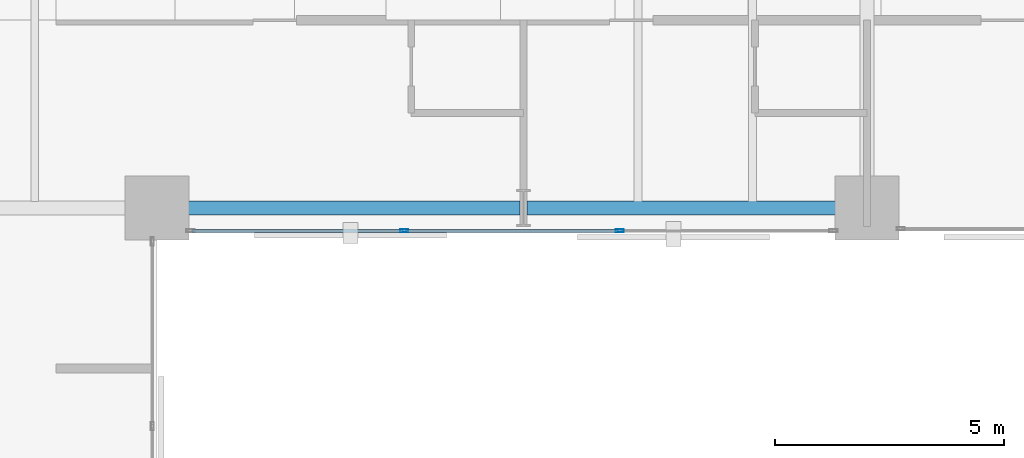
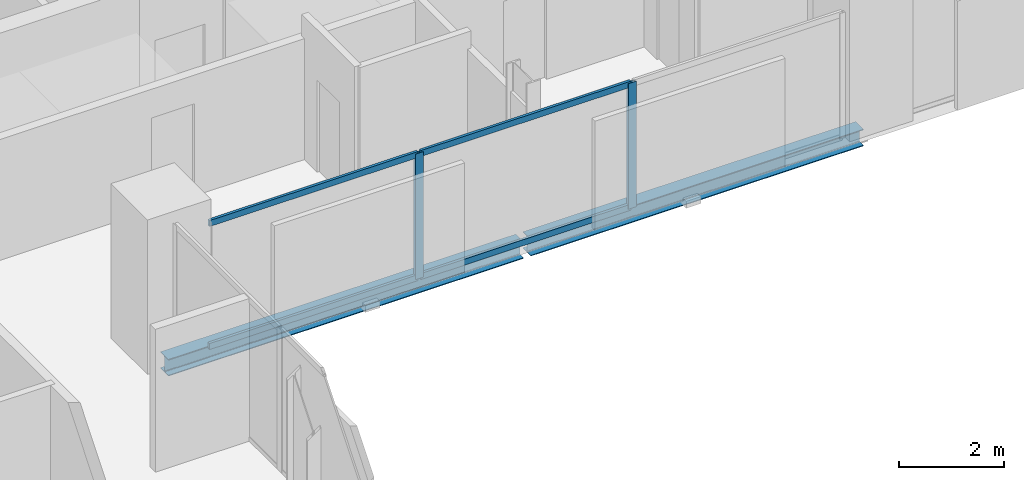
# One storey, part 14 of 33: 6 members, 2 beams, 1 element without a shape of its own.
"""IFC4 building model written with IfcOpenShell, lengths in metres."""

import ifcopenshell
import ifcopenshell.guid

model = None  # the IFC model being written
_history = None  # IfcOwnerHistory: only IFC2X3 demands one
_inside = {}  # id of a spatial element -> (the spatial element, [elements in it])
_under = {}  # id of a project, library or spatial element -> (it, [spatial elements below it])
_declared = {}  # id of a project -> (the project, [libraries it declares])
_typed = {}  # id of a type object -> (the type object, [elements of that type])
_made_of = {}  # id of a material, layer set ... -> (it, [elements and type objects made of it])


def new_model(schema):
    """Start an empty IFC model of exactly this schema.

    Asked for "IFC4X3", IfcOpenShell would pick the latest addendum, in which some entities
    have other attributes; the version numbers below select the first issue.
    IFC2X3 requires an IfcOwnerHistory on every rooted entity: one is made here for all.
    """
    global model, _history
    if schema == "IFC4X3":
        model = ifcopenshell.file(schema_version=(4, 3, 0, 0))
    else:
        model = ifcopenshell.file(schema=schema)
    _inside.clear()
    _under.clear()
    _declared.clear()
    _typed.clear()
    _made_of.clear()
    _history = None
    if model.schema == "IFC2X3":
        org = make("IfcOrganization", Name="unknown")
        user = make(
            "IfcPersonAndOrganization",
            ThePerson=make("IfcPerson", FamilyName="unknown"),
            TheOrganization=org,
        )
        app = make(
            "IfcApplication",
            ApplicationDeveloper=org,
            Version="unknown",
            ApplicationFullName="unknown",
            ApplicationIdentifier="unknown",
        )
        _history = make(
            "IfcOwnerHistory",
            OwningUser=user,
            OwningApplication=app,
            ChangeAction="ADDED",
            CreationDate=0,
        )
    return model


def make(cls, **values):
    """One entity of the class cls with the attributes given. An attribute that is None is left unset."""
    return model.create_entity(
        cls, **{name: value for name, value in values.items() if value is not None}
    )


def rooted(cls, **values):
    """An entity with a GlobalId (a new one), such as an element, a storey or a relation."""
    return make(cls, GlobalId=ifcopenshell.guid.new(), OwnerHistory=_history, **values)


def si_unit(unit_type, name, prefix=None):
    """IfcSIUnit, for example si_unit("LENGTHUNIT", "METRE", prefix="MILLI")."""
    return make("IfcSIUnit", UnitType=unit_type, Prefix=prefix, Name=name)


def assignment(units):
    """IfcUnitAssignment: the units of a project."""
    return None if units is None else make("IfcUnitAssignment", Units=units)


def point(xyz):
    """IfcCartesianPoint."""
    return None if xyz is None else make("IfcCartesianPoint", Coordinates=xyz)


def direction(xyz):
    """IfcDirection."""
    return None if xyz is None else make("IfcDirection", DirectionRatios=xyz)


def frame(location, z_axis=None, x_axis=None):
    """IfcAxis2Placement3D, a coordinate frame: its origin and axes. An axis left out is left unset."""
    return make(
        "IfcAxis2Placement3D",
        Location=point(location),
        Axis=direction(z_axis),
        RefDirection=direction(x_axis),
    )


def frame_2d(location, x_axis=None):
    """IfcAxis2Placement2D, a coordinate frame in the plane: its origin and x axis."""
    return make(
        "IfcAxis2Placement2D", Location=point(location), RefDirection=direction(x_axis)
    )


def origin():
    """The frame at (0, 0, 0) with its axes left unset."""
    return frame((0.0, 0.0, 0.0))


def origin_2d():
    """The frame at (0, 0) in the plane with its x axis left unset."""
    return frame_2d((0.0, 0.0))


def place(relative_to, where):
    """IfcLocalPlacement: puts the frame where relative to a parent placement (None: the world)."""
    return make(
        "IfcLocalPlacement", PlacementRelTo=relative_to, RelativePlacement=where
    )


def context(
    kind, dimensions, precision=None, world=None, true_north=None, identifier=None
):
    """IfcGeometricRepresentationContext, for example the 3D "Model" context."""
    return make(
        "IfcGeometricRepresentationContext",
        ContextIdentifier=identifier,
        ContextType=kind,
        CoordinateSpaceDimension=dimensions,
        Precision=precision,
        WorldCoordinateSystem=world,
        TrueNorth=true_north,
    )


def subcontext(parent, identifier, kind, view, scale=None):
    """IfcGeometricRepresentationSubContext, for example "Body" below "Model"."""
    return make(
        "IfcGeometricRepresentationSubContext",
        ContextIdentifier=identifier,
        ContextType=kind,
        ParentContext=parent,
        TargetScale=scale,
        TargetView=view,
    )


def project(units=None, contexts=None):
    """IfcProject with its units and contexts."""
    return rooted(
        "IfcProject",
        Name="project",
        RepresentationContexts=contexts,
        UnitsInContext=assignment(units),
    )


def spatial(cls, under=None, at=None, **own):
    """A site, building, storey or space (cls), placed at a placement, below another one or the project."""
    s = rooted(cls, ObjectPlacement=at, **own)
    if under is not None:
        _under.setdefault(under.id(), (under, []))[1].append(s)
    return s


def profile(cls, at=None, kind="AREA", **sizes):
    """A parametric profile (cls). Its sizes go by their IFC names, for example OverallWidth=200.0."""
    return make(cls, ProfileType=kind, Position=at, **sizes)


def hollow_rectangle(**sizes):
    """IfcRectangleHollowProfileDef."""
    return profile("IfcRectangleHollowProfileDef", **sizes)


def i_section(**sizes):
    """IfcIShapeProfileDef."""
    return profile("IfcIShapeProfileDef", **sizes)


def extrude(swept, where, along, depth):
    """IfcExtrudedAreaSolid: the profile swept, set in the frame where, extruded along a direction by depth."""
    return make(
        "IfcExtrudedAreaSolid",
        SweptArea=swept,
        Position=where,
        ExtrudedDirection=direction(along),
        Depth=depth,
    )


def shape(context_of_items, identifier, shape_type, items):
    """IfcShapeRepresentation: the items that make up one representation, for example the "Body"."""
    return make(
        "IfcShapeRepresentation",
        ContextOfItems=context_of_items,
        RepresentationIdentifier=identifier,
        RepresentationType=shape_type,
        Items=items,
    )


def material(Name=None, Category=None):
    """IfcMaterial."""
    return make("IfcMaterial", Name=Name, Category=Category)


def layer(
    of_material, thickness, ventilated=None, Name=None, Category=None, Priority=None
):
    """IfcMaterialLayer: one layer of a wall or slab, of a material (None: an air gap)."""
    return make(
        "IfcMaterialLayer",
        Material=of_material,
        LayerThickness=thickness,
        IsVentilated=ventilated,
        Name=Name,
        Category=Category,
        Priority=Priority,
    )


def layer_set(layers, Name=None):
    """IfcMaterialLayerSet."""
    return make("IfcMaterialLayerSet", MaterialLayers=layers, LayerSetName=Name)


def material_profile(
    of_material, cross_section, Name=None, Category=None, Priority=None
):
    """IfcMaterialProfile: a cross section and its material."""
    return make(
        "IfcMaterialProfile",
        Name=Name,
        Material=of_material,
        Profile=cross_section,
        Priority=Priority,
        Category=Category,
    )


def profile_set(profiles, Name=None, composite=None):
    """IfcMaterialProfileSet."""
    return make(
        "IfcMaterialProfileSet",
        Name=Name,
        MaterialProfiles=profiles,
        CompositeProfile=composite,
    )


def made_of(thing, what):
    """Note that an element or type object is made of a material, layer set ...; save() writes the relation."""
    if what is not None:
        _made_of.setdefault(what.id(), (what, []))[1].append(thing)
    return thing


def type_object(cls, material=None, **own):
    """A type object (cls), such as IfcWallType, which elements share."""
    return made_of(rooted(cls, **own), material)


def element(
    cls,
    number,
    at=None,
    inside=None,
    cuts=None,
    type_object=None,
    material=None,
    context=None,
    identifier="Body",
    shape_type=None,
    held_by="IfcProductDefinitionShape",
    body=None,
    shapes=None,
    **own,
):
    """One element of the class cls, such as IfcWall. Its Tag is "e" and its number.

    at: its placement. inside: the storey or other place that contains it. cuts: it is an
    opening in that element (IfcRelVoidsElement). A single representation is given by context,
    identifier, shape_type and body (its items); several are given by shapes. held_by: the class
    of the entity that holds the representations. save() writes the other relations.
    """
    e = rooted(cls, Tag="e%d" % number, ObjectPlacement=at, **own)
    if body is not None:
        shapes = [shape(context, identifier, shape_type, body)]
    if shapes is not None:
        e.Representation = make(held_by, Representations=shapes)
    if inside is not None:
        _inside.setdefault(inside.id(), (inside, []))[1].append(e)
    if cuts is not None:
        rooted(
            "IfcRelVoidsElement", RelatingBuildingElement=cuts, RelatedOpeningElement=e
        )
    if type_object is not None:
        _typed.setdefault(type_object.id(), (type_object, []))[1].append(e)
    return made_of(e, material)


def aggregate(whole, parts):
    """IfcRelAggregates: a whole, such as a stair, and the parts it consists of."""
    return rooted("IfcRelAggregates", RelatingObject=whole, RelatedObjects=parts)


def save(model, path):
    """Write the relations noted so far, then the file.

    IfcRelAggregates (storeys below a building ...), IfcRelContainedInSpatialStructure (elements
    in a storey), IfcRelDefinesByType, IfcRelAssociatesMaterial and IfcRelDeclares: one each for
    every whole, place, type object, material and project.
    """
    for whole, parts in _under.values():
        aggregate(whole, parts)
    for where, things in _inside.values():
        rooted(
            "IfcRelContainedInSpatialStructure",
            RelatedElements=things,
            RelatingStructure=where,
        )
    for kind, things in _typed.values():
        rooted("IfcRelDefinesByType", RelatedObjects=things, RelatingType=kind)
    for what, things in _made_of.values():
        rooted("IfcRelAssociatesMaterial", RelatedObjects=things, RelatingMaterial=what)
    for by, libraries in _declared.values():
        rooted("IfcRelDeclares", RelatingContext=by, RelatedDefinitions=libraries)
    model.write(path)


model = new_model("IFC4")

# Units and contexts
model_context = context("Model", 3, precision=1e-05, world=origin(), true_north=direction((0.0, 1.0)))
body_context = subcontext(model_context, "Body", "Model", "MODEL_VIEW")
ifc_project = project(units=[si_unit("LENGTHUNIT", "METRE"), si_unit("AREAUNIT", "SQUARE_METRE"), si_unit("VOLUMEUNIT", "CUBIC_METRE"), si_unit("PLANEANGLEUNIT", "RADIAN"), si_unit("MASSUNIT", "GRAM", prefix="KILO")], contexts=[model_context])

# Site, building, storey
site_placement = place(None, origin())
site = spatial("IfcSite", under=ifc_project, at=site_placement, CompositionType="ELEMENT")
building_placement = place(site_placement, origin())
building = spatial("IfcBuilding", under=site, at=building_placement, Name="Catumbela Crestline Tower", CompositionType="ELEMENT")
storey_placement = place(building_placement, frame((0.0, 0.0, 54.6)))
storey = spatial("IfcBuildingStorey", under=building, at=storey_placement, Name="L13", CompositionType="ELEMENT", Elevation=54.6)

# Curtain wall, members
ifc_material_1 = material(Name="Aluminium alloy AW-6060-T66", Category="aluminium")
ifc_layer = layer(ifc_material_1, 0.18, Name="Aluminium alloy AW-6060-T66")
ifc_layer_set = layer_set([ifc_layer], Name="Aluminium alloy AW-6060-T66")
curtain_wall_type = type_object("IfcCurtainWallType", Name="CWU-Z1", PredefinedType="USERDEFINED", material=ifc_layer_set)
curtain_wall_placement = place(storey_placement, origin())
curtain_wall = element("IfcCurtainWall", 1, at=curtain_wall_placement, inside=storey, type_object=curtain_wall_type, Name="L13 Unitised Curtain Wall CW-L13-E3S1", ObjectType="UNITISED", PredefinedType="USERDEFINED")
ifc_material_profile_1 = material_profile(ifc_material_1, hollow_rectangle(XDim=0.065, YDim=0.18, WallThickness=0.004, at=origin_2d()), Name="ALU 180x65x4")
ifc_profile_set_1 = profile_set([ifc_material_profile_1], Name="Aluminium alloy AW-6060-T66")
member_type_1 = type_object("IfcMemberType", Name="MUL-180X65", PredefinedType="MULLION", material=ifc_profile_set_1)
member_1_placement = place(storey_placement, frame((29.4, 24.0, 0.0), z_axis=(0.0, 0.0, 1.0), x_axis=(0.0, 1.0, 0.0)))
member_1 = element("IfcMember", 2, at=member_1_placement, type_object=member_type_1, Name="CWU-Z1 mullion 2", PredefinedType="MULLION", context=body_context, shape_type="SweptSolid", body=[
    extrude(hollow_rectangle(XDim=0.065, YDim=0.18, WallThickness=0.004, at=origin_2d()), origin(), (0.0, 0.0, 1.0), 2.93),
])
member_2_placement = place(storey_placement, frame((34.1, 24.0, 0.0), z_axis=(0.0, 0.0, 1.0), x_axis=(0.0, 1.0, 0.0)))
member_2 = element("IfcMember", 3, at=member_2_placement, type_object=member_type_1, Name="CWU-Z1 mullion 3", PredefinedType="MULLION", context=body_context, shape_type="SweptSolid", body=[
    extrude(hollow_rectangle(XDim=0.065, YDim=0.18, WallThickness=0.004, at=origin_2d()), origin(), (0.0, 0.0, 1.0), 2.93),
])

# Beams
ifc_material_2 = material(Name="Structural steel S355J2", Category="steel")
ifc_material_profile_2 = material_profile(ifc_material_2, i_section(OverallWidth=0.3, OverallDepth=0.39, WebThickness=0.011, FlangeThickness=0.019, FilletRadius=0.027, at=origin_2d()), Name="HEA 400")
ifc_profile_set_2 = profile_set([ifc_material_profile_2], Name="Structural steel S355J2")
beam_type = type_object("IfcBeamType", Name="BS-HEA400", PredefinedType="SPANDREL", material=ifc_profile_set_2)
beam_1_placement = place(storey_placement, frame((24.08, 24.5, -0.455), z_axis=(1.0, 0.0, 0.0), x_axis=(0.0, 1.0, 0.0)))
element("IfcBeam", 4, at=beam_1_placement, inside=storey, type_object=beam_type, Name="L13 Spandrel SP-L13-S05", PredefinedType="SPANDREL", context=body_context, shape_type="SweptSolid", body=[
    extrude(i_section(OverallWidth=0.3, OverallDepth=0.39, WebThickness=0.011, FlangeThickness=0.019, FilletRadius=0.027, at=origin_2d()), origin(), (0.0, 0.0, 1.0), 7.84),
])
beam_2_placement = place(storey_placement, frame((32.08, 24.5, -0.455), z_axis=(1.0, 0.0, 0.0), x_axis=(0.0, 1.0, 0.0)))
element("IfcBeam", 5, at=beam_2_placement, inside=storey, type_object=beam_type, Name="L13 Spandrel SP-L13-S06", PredefinedType="SPANDREL", context=body_context, shape_type="SweptSolid", body=[
    extrude(i_section(OverallWidth=0.3, OverallDepth=0.39, WebThickness=0.011, FlangeThickness=0.019, FilletRadius=0.027, at=origin_2d()), origin(), (0.0, 0.0, 1.0), 7.34),
])

# Member
ifc_material_profile_3 = material_profile(ifc_material_1, hollow_rectangle(XDim=0.06, YDim=0.14, WallThickness=0.004, at=origin_2d()), Name="ALU 140x60x4")
ifc_profile_set_3 = profile_set([ifc_material_profile_3], Name="Aluminium alloy AW-6060-T66")
member_type_2 = type_object("IfcMemberType", Name="TRN-140X60", PredefinedType="USERDEFINED", material=ifc_profile_set_3)
member_3_placement = place(storey_placement, frame((24.765, 24.0, 0.03), z_axis=(1.0, 0.0, 0.0), x_axis=(0.0, 1.0, 0.0)))
member_3 = element("IfcMember", 6, at=member_3_placement, type_object=member_type_2, Name="CWU-Z1 transom 1.1", ObjectType="TRANSOM", PredefinedType="USERDEFINED", context=body_context, shape_type="SweptSolid", body=[
    extrude(hollow_rectangle(XDim=0.06, YDim=0.14, WallThickness=0.004, at=origin_2d()), origin(), (0.0, 0.0, 1.0), 4.6025),
])

member_4_placement = place(storey_placement, frame((24.765, 24.0, 2.9), z_axis=(1.0, 0.0, 0.0), x_axis=(0.0, 1.0, 0.0)))
member_4 = element("IfcMember", 7, at=member_4_placement, type_object=member_type_2, Name="CWU-Z1 transom 1.2", ObjectType="TRANSOM", PredefinedType="USERDEFINED", context=body_context, shape_type="SweptSolid", body=[
    extrude(hollow_rectangle(XDim=0.06, YDim=0.14, WallThickness=0.004, at=origin_2d()), origin(), (0.0, 0.0, 1.0), 4.6025),
])

member_5_placement = place(storey_placement, frame((29.4325, 24.0, 0.03), z_axis=(1.0, 0.0, 0.0), x_axis=(0.0, 1.0, 0.0)))
member_5 = element("IfcMember", 8, at=member_5_placement, type_object=member_type_2, Name="CWU-Z1 transom 2.1", ObjectType="TRANSOM", PredefinedType="USERDEFINED", context=body_context, shape_type="SweptSolid", body=[
    extrude(hollow_rectangle(XDim=0.06, YDim=0.14, WallThickness=0.004, at=origin_2d()), origin(), (0.0, 0.0, 1.0), 4.635),
])

member_6_placement = place(storey_placement, frame((29.4325, 24.0, 2.9), z_axis=(1.0, 0.0, 0.0), x_axis=(0.0, 1.0, 0.0)))
member_6 = element("IfcMember", 9, at=member_6_placement, type_object=member_type_2, Name="CWU-Z1 transom 2.2", ObjectType="TRANSOM", PredefinedType="USERDEFINED", context=body_context, shape_type="SweptSolid", body=[
    extrude(hollow_rectangle(XDim=0.06, YDim=0.14, WallThickness=0.004, at=origin_2d()), origin(), (0.0, 0.0, 1.0), 4.635),
])

aggregate(curtain_wall, [member_1, member_2, member_3, member_4, member_5, member_6])

save(model, "model.ifc")
